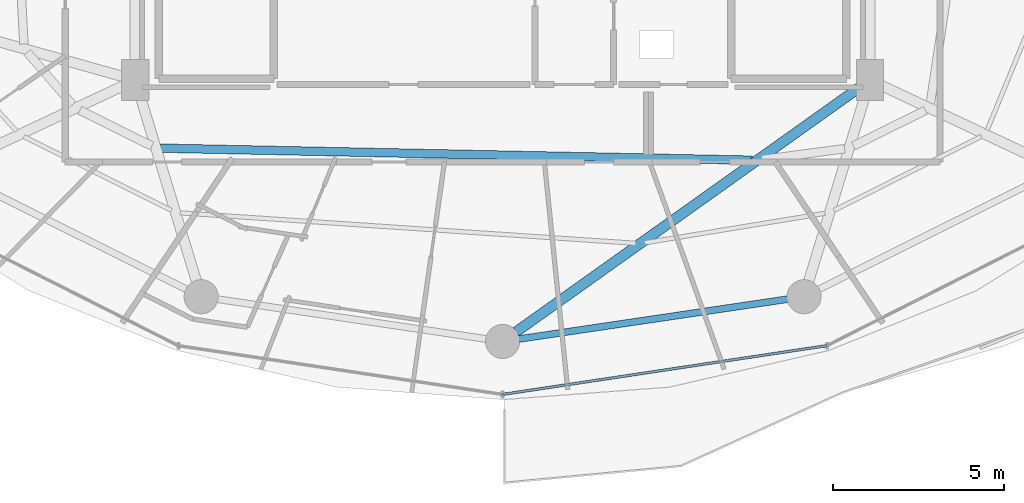
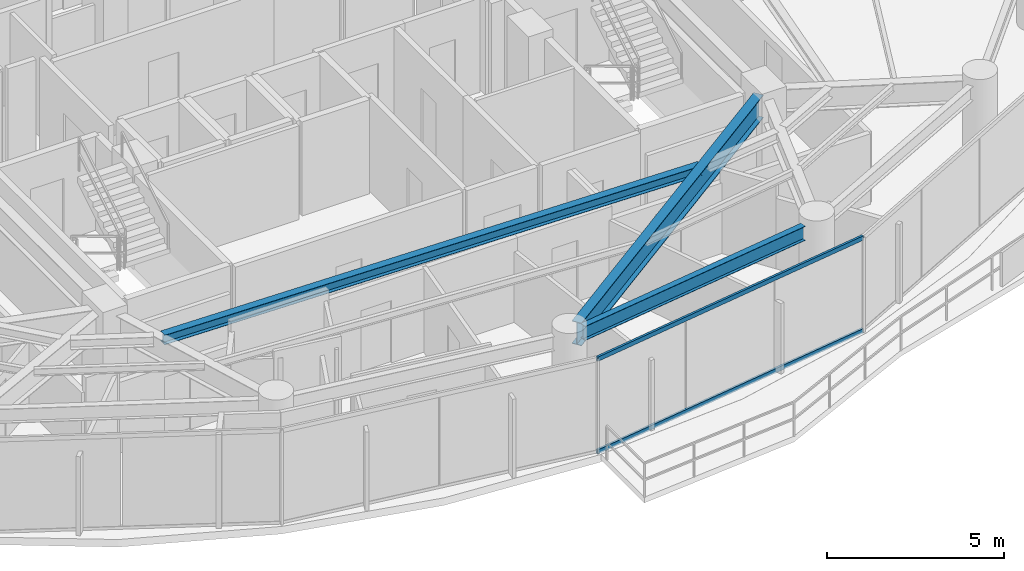
# One storey, part 7 of 30: 3 beams, 2 members, 1 element without a shape of its own.
"""IFC4 building model written with IfcOpenShell, lengths in metres."""

from ifc_helpers import new_model, si_unit, direction, frame, origin, origin_2d, place, context, subcontext, project, spatial, hollow_rectangle, i_section, extrude, material, material_profile, profile_set, type_object, element, aggregate, save


model = new_model("IFC4")

# Units and contexts
model_context = context("Model", 3, precision=1e-05, world=origin(), true_north=direction((0.0, 1.0)))
body_context = subcontext(model_context, "Body", "Model", "MODEL_VIEW")
ifc_project = project(units=[si_unit("LENGTHUNIT", "METRE"), si_unit("AREAUNIT", "SQUARE_METRE"), si_unit("VOLUMEUNIT", "CUBIC_METRE"), si_unit("PLANEANGLEUNIT", "RADIAN"), si_unit("MASSUNIT", "GRAM", prefix="KILO")], contexts=[model_context])

# Site, building, storey
site_placement = place(None, origin())
site = spatial("IfcSite", under=ifc_project, at=site_placement, CompositionType="ELEMENT")
building_placement = place(site_placement, origin())
building = spatial("IfcBuilding", under=site, at=building_placement, Name="Vorneva Point Tower", CompositionType="ELEMENT")
storey_placement = place(building_placement, frame((0.0, 0.0, 153.60009765625)))
storey = spatial("IfcBuildingStorey", under=building, at=storey_placement, Name="L41", CompositionType="ELEMENT", Elevation=153.60009765625)

# Beams
ifc_material_1 = material(Name="Steel S355", Category="steel")
ifc_material_profile_1 = material_profile(ifc_material_1, i_section(OverallWidth=0.300048828125, OverallDepth=0.7880859375, WebThickness=0.014404296875, FlangeThickness=0.02197265625, at=origin_2d()), Name="80Sh1")
ifc_profile_set_1 = profile_set([ifc_material_profile_1], Name="Steel S355")
beam_type_1 = type_object("IfcBeamType", Name="BM-GRD-80Sh1", PredefinedType="USERDEFINED", material=ifc_profile_set_1)
beam_1_placement = place(storey_placement, frame((38.397705078125, 9.0830078125, 2.845947265625), z_axis=(0.814751382529, 0.579810473057, 0.0), x_axis=(-0.579810473057, 0.814751382529, 0.0)))
element("IfcBeam", 1, at=beam_1_placement, inside=storey, type_object=beam_type_1, Name="L41 Radial Primary Girder 13", ObjectType="GIRDER", PredefinedType="USERDEFINED", context=body_context, shape_type="SweptSolid", body=[
    extrude(i_section(OverallWidth=0.300048828125, OverallDepth=0.7880859375, WebThickness=0.014404296875, FlangeThickness=0.02197265625, at=origin_2d()), origin(), (0.0, 0.0, 1.0), 12.365966796875),
])
ifc_material_profile_2 = material_profile(ifc_material_1, i_section(OverallWidth=0.2490234375, OverallDepth=0.333984375, WebThickness=0.008056640625, FlangeThickness=0.010986328125, at=origin_2d()), Name="35Sh1")
ifc_profile_set_2 = profile_set([ifc_material_profile_2], Name="Steel S355")
beam_type_2 = type_object("IfcBeamType", Name="BM-SEC-35Sh1", PredefinedType="BEAM", material=ifc_profile_set_2)
beam_2_placement = place(storey_placement, frame((27.993408203125, 14.457275390625, 3.072998046875), z_axis=(0.999792890829, -0.020351300897, 0.0), x_axis=(0.020351300897, 0.999792890829, 0.0)))
element("IfcBeam", 2, at=beam_2_placement, inside=storey, type_object=beam_type_2, Name="L41 Secondary Floor Beam 2.12", PredefinedType="BEAM", context=body_context, shape_type="SweptSolid", body=[
    extrude(i_section(OverallWidth=0.2490234375, OverallDepth=0.333984375, WebThickness=0.008056640625, FlangeThickness=0.010986328125, at=origin_2d()), origin(), (0.0, 0.0, 1.0), 17.32275390625),
])
ifc_material_profile_3 = material_profile(ifc_material_1, i_section(OverallWidth=0.199951171875, OverallDepth=0.491943359375, WebThickness=0.0087890625, FlangeThickness=0.011962890625, at=origin_2d()), Name="50B1")
ifc_profile_set_3 = profile_set([ifc_material_profile_3], Name="Steel S355")
beam_type_3 = type_object("IfcBeamType", Name="BM-SPN-50B1", PredefinedType="SPANDREL", material=ifc_profile_set_3)
beam_3_placement = place(storey_placement, frame((38.479736328125, 8.87109375, 2.993896484375), z_axis=(0.989161199046, 0.146833655211, 0.0), x_axis=(-0.146833655211, 0.989161199046, 0.0)))
element("IfcBeam", 3, at=beam_3_placement, inside=storey, type_object=beam_type_3, Name="L41 Perimeter Spandrel Ring Beam 13", PredefinedType="SPANDREL", context=body_context, shape_type="SweptSolid", body=[
    extrude(i_section(OverallWidth=0.199951171875, OverallDepth=0.491943359375, WebThickness=0.0087890625, FlangeThickness=0.011962890625, at=origin_2d()), origin(), (0.0, 0.0, 1.0), 7.94775390625),
])

# Curtain wall, members
ifc_material_2 = material(Name="Pale anodised aluminium", Category="aluminium")
curtain_wall_type = type_object("IfcCurtainWallType", Name="CW-RES-SYS", PredefinedType="NOTDEFINED", material=ifc_material_2)
curtain_wall_placement = place(storey_placement, origin())
curtain_wall = element("IfcCurtainWall", 4, at=curtain_wall_placement, inside=storey, type_object=curtain_wall_type, Name="L41 Unitised Curtain Wall CW-L41-R04", PredefinedType="NOTDEFINED")
ifc_material_profile_4 = material_profile(ifc_material_2, hollow_rectangle(XDim=0.074951171875, YDim=0.14990234375, WallThickness=0.00390625, at=origin_2d()), Name="AL-TRN 150x75x4")
ifc_profile_set_4 = profile_set([ifc_material_profile_4], Name="Pale anodised aluminium")
member_type = type_object("IfcMemberType", Name="CW-TRN-150", PredefinedType="USERDEFINED", material=ifc_profile_set_4)
member_1_placement = place(storey_placement, frame((38.0, 7.25, 0.02001953125), z_axis=(0.988880117727, 0.148714870687, 0.0), x_axis=(-0.148714870687, 0.988880117727, 0.0)))
member_1 = element("IfcMember", 5, at=member_1_placement, type_object=member_type, Name="CW-L41-R04 Transom 03.1", ObjectType="TRANSOM", PredefinedType="USERDEFINED", context=body_context, shape_type="SweptSolid", body=[
    extrude(hollow_rectangle(XDim=0.074951171875, YDim=0.14990234375, WallThickness=0.00390625, at=origin_2d()), origin(), (0.0, 0.0, 1.0), 9.59716796875),
])
member_2_placement = place(storey_placement, frame((38.0, 7.25, 3.219970703125), z_axis=(0.988880117727, 0.148714870687, 0.0), x_axis=(-0.148714870687, 0.988880117727, 0.0)))
member_2 = element("IfcMember", 6, at=member_2_placement, type_object=member_type, Name="CW-L41-R04 Transom 03.2", ObjectType="TRANSOM", PredefinedType="USERDEFINED", context=body_context, shape_type="SweptSolid", body=[
    extrude(hollow_rectangle(XDim=0.074951171875, YDim=0.14990234375, WallThickness=0.00390625, at=origin_2d()), origin(), (0.0, 0.0, 1.0), 9.59716796875),
])
aggregate(curtain_wall, [member_1, member_2])

save(model, "model.ifc")
